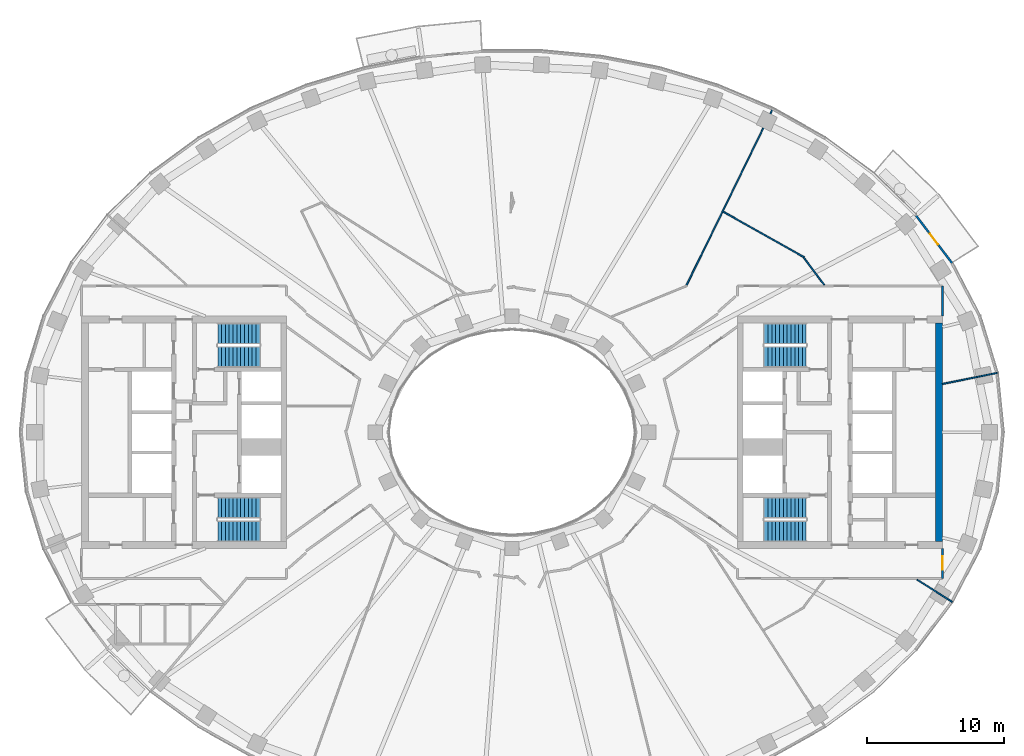
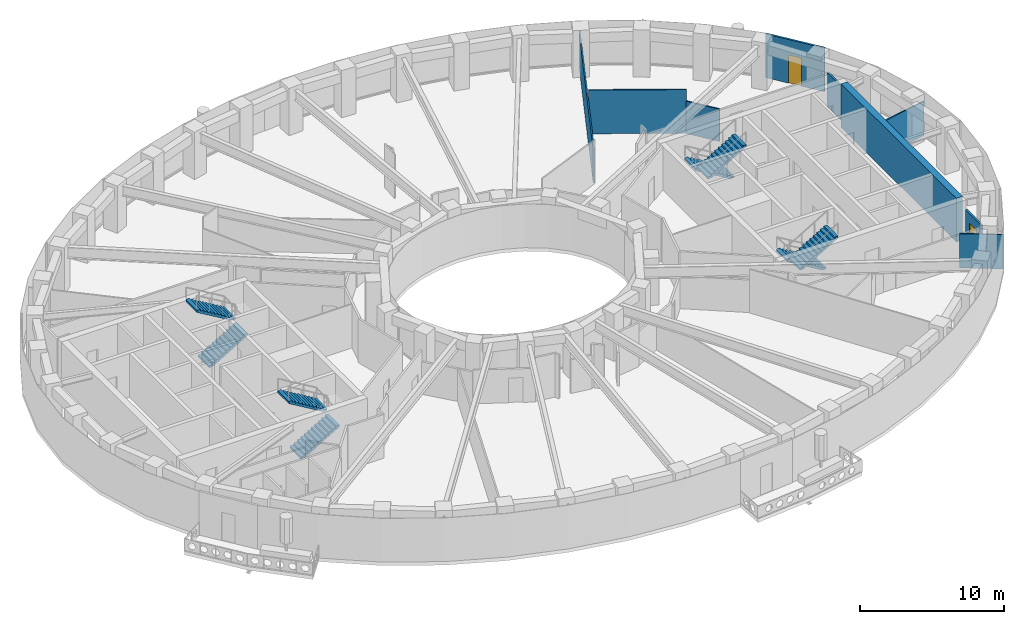
# One storey, part 7 of 16: 9 walls, 8 stair flights, 2 doors, 2 openings, 4 elements without a shape of their own.
"""IFC4 building model written with IfcOpenShell, lengths in metres."""

from ifc_helpers import new_model, si_unit, direction, frame, frame_2d, origin, place, context, subcontext, project, spatial, polyline, rectangle, outline, extrude, material, layer, layer_set, type_object, element, fill, aggregate, save


model = new_model("IFC4")

# Units and contexts
model_context = context("Model", 3, precision=1e-05, world=origin(), true_north=direction((0.0, 1.0)))
body_context = subcontext(model_context, "Body", "Model", "MODEL_VIEW")
ifc_project = project(units=[si_unit("LENGTHUNIT", "METRE"), si_unit("AREAUNIT", "SQUARE_METRE"), si_unit("VOLUMEUNIT", "CUBIC_METRE"), si_unit("PLANEANGLEUNIT", "RADIAN"), si_unit("MASSUNIT", "GRAM", prefix="KILO")], contexts=[model_context])

# Site, building, storey
site_placement = place(None, origin())
site = spatial("IfcSite", under=ifc_project, at=site_placement, CompositionType="ELEMENT")
building_placement = place(site_placement, origin())
building = spatial("IfcBuilding", under=site, at=building_placement, Name="Noorbagh Ring Tower", CompositionType="ELEMENT")
storey_placement = place(building_placement, frame((0.0, 0.0, 186.0)))
storey = spatial("IfcBuildingStorey", under=building, at=storey_placement, Name="L43", CompositionType="ELEMENT", Elevation=186.0)

# Wall
ifc_material_1 = material(Name="Concrete C60/75", Category="concrete")
ifc_layer_1 = layer(ifc_material_1, 0.5)
ifc_layer_set_1 = layer_set([ifc_layer_1], Name="Concrete C60/75")
wall_type_1 = type_object("IfcWallType", Name="CORE-WALL-500-C60-75-EI240", PredefinedType="SHEAR", material=ifc_layer_set_1)
wall_1_placement = place(storey_placement, frame((31.25, -8.0, 0.0), z_axis=(0.0, 0.0, 1.0), x_axis=(0.0, 1.0, 0.0)))
element("IfcWall", 1, at=wall_1_placement, inside=storey, type_object=wall_type_1, Name="Core wall E", PredefinedType="SHEAR", context=body_context, shape_type="SweptSolid", body=[
    extrude(rectangle(XDim=16.0, YDim=0.5, at=frame_2d((8.0, 0.0))), origin(), (0.0, 0.0, 1.0), 3.699951171875),
])

# Wall, opening, door
ifc_material_2 = material(Name="Gypsum board on steel studs", Category="steel")
ifc_layer_2 = layer(ifc_material_2, 0.14990234375)
ifc_layer_set_2 = layer_set([ifc_layer_2], Name="Gypsum board on steel studs")
wall_type_2 = type_object("IfcWallType", Name="CORRIDOR PARTITION 150 EI 30", PredefinedType="PARTITIONING", material=ifc_layer_set_2)
wall_2_placement = place(storey_placement, frame((31.5, -10.699951171875, 0.0), z_axis=(0.0, 0.0, 1.0), x_axis=(0.0, 1.0, 0.0)))
wall_2 = element("IfcWall", 2, at=wall_2_placement, inside=storey, type_object=wall_type_2, Name="L43/wall/P75", PredefinedType="PARTITIONING", context=body_context, shape_type="SweptSolid", body=[
    extrude(rectangle(XDim=2.199951171875, YDim=0.14990234375, at=frame_2d((1.10009765625, 0.0))), origin(), (0.0, 0.0, 1.0), 2.89990234375),
])
opening_1_placement = place(wall_2_placement, frame((0.64990234375, 0.0, 0.0)))
opening_1 = element("IfcOpeningElement", 3, at=opening_1_placement, cuts=wall_2, Name="Opening D1", PredefinedType="OPENING", context=body_context, shape_type="SweptSolid", body=[
    extrude(rectangle(XDim=1.0, YDim=2.10009765625, at=frame_2d((0.5, 1.050048828125))), frame((0.0, 0.0849609375, 0.0), z_axis=(0.0, -1.0, 0.0), x_axis=(1.0, 0.0, 0.0)), (0.0, 0.0, 1.0), 0.169921875),
])
ifc_material_3 = material(Name="Timber, painted", Category="wood")
door_type_1 = type_object("IfcDoorType", Name="DOOR 1000 X 2100 FD30", OperationType="SINGLE_SWING_LEFT", PredefinedType="DOOR", material=ifc_material_3)
door_1_placement = place(opening_1_placement, origin())
door_1 = element("IfcDoor", 4, at=door_1_placement, inside=storey, type_object=door_type_1, Name="L43-D16", OperationType="SINGLE_SWING_RIGHT", OverallHeight=2.10009765625, OverallWidth=1.0, PredefinedType="DOOR", context=body_context, shape_type="SweptSolid", body=[
    extrude(rectangle(XDim=1.0, YDim=2.10009765625, at=frame_2d((0.5, 1.050048828125))), frame((0.0, 0.02490234375, 0.0), z_axis=(0.0, -1.0, 0.0), x_axis=(1.0, 0.0, 0.0)), (0.0, 0.0, 1.0), 0.050048828125),
])
fill(opening_1, door_1)

# Wall
wall_3_placement = place(storey_placement, frame((31.5, 8.5, 0.0), z_axis=(0.0, 0.0, 1.0), x_axis=(0.0, 1.0, 0.0)))
element("IfcWall", 5, at=wall_3_placement, inside=storey, type_object=wall_type_2, Name="L43/wall/P77", PredefinedType="PARTITIONING", context=body_context, shape_type="SweptSolid", body=[
    extrude(rectangle(XDim=2.199951171875, YDim=0.14990234375, at=frame_2d((1.10009765625, 0.0))), origin(), (0.0, 0.0, 1.0), 2.89990234375),
])

# Wall, opening, door
ifc_material_4 = material(Name="Insulated aluminium clad panel", Category="aluminium")
ifc_layer_3 = layer(ifc_material_4, 0.14990234375)
ifc_layer_set_3 = layer_set([ifc_layer_3], Name="Insulated aluminium clad panel")
wall_type_3 = type_object("IfcWallType", Name="ENV-WALL-DOOR", PredefinedType="STANDARD", material=ifc_layer_set_3)
wall_4_placement = place(storey_placement, frame((32.20751953125, 12.37353515625, 0.0), z_axis=(0.0, 0.0, 1.0), x_axis=(-0.604045763106, 0.796949632081, 0.0)))
wall_4 = element("IfcWall", 6, at=wall_4_placement, inside=storey, type_object=wall_type_3, Name="Balcony door wall chord 04", PredefinedType="STANDARD", context=body_context, shape_type="SweptSolid", body=[
    extrude(rectangle(XDim=4.42333984375, YDim=0.14990234375, at=frame_2d((2.211669921875, 0.0))), origin(), (0.0, 0.0, 1.0), 3.699951171875),
])
opening_2_placement = place(wall_4_placement, frame((1.711669921875, 0.0, 0.0)))
opening_2 = element("IfcOpeningElement", 7, at=opening_2_placement, cuts=wall_4, Name="Opening D-BL", PredefinedType="OPENING", context=body_context, shape_type="SweptSolid", body=[
    extrude(rectangle(XDim=1.0, YDim=2.39990234375, at=frame_2d((0.5, 1.199951171875))), frame((0.0, 0.0849609375, 0.0), z_axis=(0.0, -1.0, 0.0), x_axis=(1.0, 0.0, 0.0)), (0.0, 0.0, 1.0), 0.169921875),
])
ifc_material_5 = material(Name="Aluminium and glass", Category="aluminium")
door_type_2 = type_object("IfcDoorType", Name="ENV-DOOR-BALCONY", OperationType="SINGLE_SWING_LEFT", PredefinedType="DOOR", material=ifc_material_5)
door_2_placement = place(opening_2_placement, origin())
door_2 = element("IfcDoor", 8, at=door_2_placement, inside=storey, type_object=door_type_2, Name="Balcony door chord 04", OperationType="SINGLE_SWING_RIGHT", OverallHeight=2.39990234375, OverallWidth=1.0, PredefinedType="DOOR", context=body_context, shape_type="SweptSolid", body=[
    extrude(rectangle(XDim=1.0, YDim=2.39990234375, at=frame_2d((0.5, 1.199951171875))), frame((0.0, 0.02490234375, 0.0), z_axis=(0.0, -1.0, 0.0), x_axis=(1.0, 0.0, 0.0)), (0.0, 0.0, 1.0), 0.050048828125),
])
fill(opening_2, door_2)

# Walls
ifc_material_6 = material(Name="Gypsum board on steel studs", Category="steel")
ifc_layer_4 = layer(ifc_material_6, 0.10009765625)
ifc_layer_set_4 = layer_set([ifc_layer_4], Name="Gypsum board on steel studs")
wall_type_4 = type_object("IfcWallType", Name="PARTITION 100 GYPSUM", PredefinedType="PARTITIONING", material=ifc_layer_set_4)
wall_5_placement = place(storey_placement, frame((12.76904296875, 10.764892578125, 0.0), z_axis=(0.0, 0.0, 1.0), x_axis=(0.439230835686, 0.898374238824, 0.0)))
element("IfcWall", 9, at=wall_5_placement, inside=storey, type_object=wall_type_4, Name="L43/wall/P64", PredefinedType="PARTITIONING", context=body_context, shape_type="SweptSolid", body=[
    extrude(rectangle(XDim=14.3818359375, YDim=0.10009765625, at=frame_2d((7.19091796875, 0.0))), origin(), (0.0, 0.0, 1.0), 2.89990234375),
])
wall_6_placement = place(storey_placement, frame((15.4560546875, 16.14501953125, 0.0), z_axis=(0.0, 0.0, 1.0), x_axis=(0.871239204441, -0.490858685006, 0.0)))
element("IfcWall", 10, at=wall_6_placement, inside=storey, type_object=wall_type_4, Name="L43/wall/P66", PredefinedType="PARTITIONING", context=body_context, shape_type="SweptSolid", body=[
    extrude(rectangle(XDim=6.80859375, YDim=0.10009765625, at=frame_2d((3.404296875, 0.0))), origin(), (0.0, 0.0, 1.0), 3.699951171875),
])
wall_7_placement = place(storey_placement, frame((21.35498046875, 12.764892578125, 0.0), z_axis=(0.0, 0.0, 1.0), x_axis=(0.603287715996, -0.797523624558, 0.0)))
element("IfcWall", 11, at=wall_7_placement, inside=storey, type_object=wall_type_4, Name="L43/wall/P73", PredefinedType="PARTITIONING", context=body_context, shape_type="SweptSolid", body=[
    extrude(rectangle(XDim=2.4912109375, YDim=0.10009765625, at=frame_2d((1.24560546875, 0.0))), origin(), (0.0, 0.0, 1.0), 2.75),
])
wall_8_placement = place(storey_placement, frame((29.636962890625, -10.777099609375, 0.0), z_axis=(0.0, 0.0, 1.0), x_axis=(0.844810627195, -0.535065420467, 0.0)))
element("IfcWall", 12, at=wall_8_placement, inside=storey, type_object=wall_type_4, Name="L43/wall/P74", PredefinedType="PARTITIONING", context=body_context, shape_type="SweptSolid", body=[
    extrude(rectangle(XDim=3.0478515625, YDim=0.10009765625, at=frame_2d((1.52392578125, 0.0))), origin(), (0.0, 0.0, 1.0), 2.89990234375),
])
wall_9_placement = place(storey_placement, frame((31.5, 3.5419921875, 0.0), z_axis=(0.0, 0.0, 1.0), x_axis=(0.980357474535, 0.197228857227, 0.0)))
element("IfcWall", 13, at=wall_9_placement, inside=storey, type_object=wall_type_4, Name="L43/wall/P76", PredefinedType="PARTITIONING", context=body_context, shape_type="SweptSolid", body=[
    extrude(rectangle(XDim=4.09228515625, YDim=0.10009765625, at=frame_2d((2.046142578125, 0.0))), origin(), (0.0, 0.0, 1.0), 2.89990234375),
])

# Stair, stair flights
ifc_material_7 = material(Name="Concrete C40/50", Category="concrete")
stair_type = type_object("IfcStairType", Name="CORE-STAIR", PredefinedType="HALF_TURN_STAIR", material=ifc_material_7)
stair_1_placement = place(storey_placement, origin())
stair_1 = element("IfcStair", 14, at=stair_1_placement, inside=storey, type_object=stair_type, Name="L43 Exit stair ST1", PredefinedType="HALF_TURN_STAIR")
ifc_material_8 = material(Name="Concrete C40/50", Category="concrete")
stair_flight_type = type_object("IfcStairFlightType", Name="CORE-STAIR-FLIGHT", PredefinedType="STRAIGHT", material=ifc_material_8)
stair_flight_1_placement = place(storey_placement, frame((-21.530029296875, 5.52490234375, 0.0), z_axis=(0.0, 0.0, 1.0), x_axis=(1.0, 0.0, 0.0)))
stair_flight_1 = element("IfcStairFlight", 15, at=stair_flight_1_placement, type_object=stair_flight_type, Name="ST1 flight 1", NumberOfRisers=12, NumberOfTreads=11, PredefinedType="STRAIGHT", RiserHeight=0.166666667, TreadLength=0.28, context=body_context, shape_type="SweptSolid", body=[
    extrude(outline(polyline([(0.0, 0.0), (0.0, 0.166748046875), (0.280029296875, 0.166748046875), (0.280029296875, 0.333251953125), (0.56005859375, 0.333251953125), (0.56005859375, 0.5), (0.840087890625, 0.5), (0.840087890625, 0.666748046875), (1.1201171875, 0.666748046875), (1.1201171875, 0.833251953125), (1.39990234375, 0.833251953125), (1.39990234375, 1.0), (1.679931640625, 1.0), (1.679931640625, 1.166748046875), (1.9599609375, 1.166748046875), (1.9599609375, 1.333251953125), (2.239990234375, 1.333251953125), (2.239990234375, 1.5), (2.52001953125, 1.5), (2.52001953125, 1.666748046875), (2.800048828125, 1.666748046875), (2.800048828125, 1.833251953125), (3.080078125, 1.833251953125), (3.080078125, 2.0), (3.080078125, 1.658935546875), (0.29296875, 0.0), (0.0, 0.0)])), frame((0.0, 0.77490234375, 0.0), z_axis=(0.0, -1.0, 0.0), x_axis=(1.0, 0.0, 0.0)), (0.0, 0.0, 1.0), 1.550048828125),
])
stair_flight_2_placement = place(storey_placement, frame((-18.449951171875, 7.22509765625, 2.0), z_axis=(0.0, 0.0, 1.0), x_axis=(-1.0, 0.0, 0.0)))
stair_flight_2 = element("IfcStairFlight", 16, at=stair_flight_2_placement, type_object=stair_flight_type, Name="ST1 flight 2", NumberOfRisers=12, NumberOfTreads=11, PredefinedType="STRAIGHT", RiserHeight=0.166666667, TreadLength=0.28, context=body_context, shape_type="SweptSolid", body=[
    extrude(outline(polyline([(0.0, 0.0), (0.0, 0.166748046875), (0.280029296875, 0.166748046875), (0.280029296875, 0.333251953125), (0.56005859375, 0.333251953125), (0.56005859375, 0.5), (0.840087890625, 0.5), (0.840087890625, 0.666748046875), (1.1201171875, 0.666748046875), (1.1201171875, 0.833251953125), (1.39990234375, 0.833251953125), (1.39990234375, 1.0), (1.679931640625, 1.0), (1.679931640625, 1.166748046875), (1.9599609375, 1.166748046875), (1.9599609375, 1.333251953125), (2.239990234375, 1.333251953125), (2.239990234375, 1.5), (2.52001953125, 1.5), (2.52001953125, 1.666748046875), (2.800048828125, 1.666748046875), (2.800048828125, 1.833251953125), (3.080078125, 1.833251953125), (3.080078125, 2.0), (3.080078125, 1.658935546875), (0.29296875, 0.0), (0.0, 0.0)])), frame((0.0, 0.77490234375, 0.0), z_axis=(0.0, -1.0, 0.0), x_axis=(1.0, 0.0, 0.0)), (0.0, 0.0, 1.0), 1.550048828125),
])
aggregate(stair_1, [stair_flight_1, stair_flight_2])

stair_2_placement = place(storey_placement, origin())
stair_2 = element("IfcStair", 17, at=stair_2_placement, inside=storey, type_object=stair_type, Name="L43 Exit stair ST2", PredefinedType="HALF_TURN_STAIR")
stair_flight_3_placement = place(storey_placement, frame((-21.530029296875, -7.22509765625, 0.0), z_axis=(0.0, 0.0, 1.0), x_axis=(1.0, 0.0, 0.0)))
stair_flight_3 = element("IfcStairFlight", 18, at=stair_flight_3_placement, type_object=stair_flight_type, Name="ST2 flight 1", NumberOfRisers=12, NumberOfTreads=11, PredefinedType="STRAIGHT", RiserHeight=0.166666667, TreadLength=0.28, context=body_context, shape_type="SweptSolid", body=[
    extrude(outline(polyline([(0.0, 0.0), (0.0, 0.166748046875), (0.280029296875, 0.166748046875), (0.280029296875, 0.333251953125), (0.56005859375, 0.333251953125), (0.56005859375, 0.5), (0.840087890625, 0.5), (0.840087890625, 0.666748046875), (1.1201171875, 0.666748046875), (1.1201171875, 0.833251953125), (1.39990234375, 0.833251953125), (1.39990234375, 1.0), (1.679931640625, 1.0), (1.679931640625, 1.166748046875), (1.9599609375, 1.166748046875), (1.9599609375, 1.333251953125), (2.239990234375, 1.333251953125), (2.239990234375, 1.5), (2.52001953125, 1.5), (2.52001953125, 1.666748046875), (2.800048828125, 1.666748046875), (2.800048828125, 1.833251953125), (3.080078125, 1.833251953125), (3.080078125, 2.0), (3.080078125, 1.658935546875), (0.29296875, 0.0), (0.0, 0.0)])), frame((0.0, 0.77490234375, 0.0), z_axis=(0.0, -1.0, 0.0), x_axis=(1.0, 0.0, 0.0)), (0.0, 0.0, 1.0), 1.550048828125),
])
stair_flight_4_placement = place(storey_placement, frame((-18.449951171875, -5.52490234375, 2.0), z_axis=(0.0, 0.0, 1.0), x_axis=(-1.0, 0.0, 0.0)))
stair_flight_4 = element("IfcStairFlight", 19, at=stair_flight_4_placement, type_object=stair_flight_type, Name="ST2 flight 2", NumberOfRisers=12, NumberOfTreads=11, PredefinedType="STRAIGHT", RiserHeight=0.166666667, TreadLength=0.28, context=body_context, shape_type="SweptSolid", body=[
    extrude(outline(polyline([(0.0, 0.0), (0.0, 0.166748046875), (0.280029296875, 0.166748046875), (0.280029296875, 0.333251953125), (0.56005859375, 0.333251953125), (0.56005859375, 0.5), (0.840087890625, 0.5), (0.840087890625, 0.666748046875), (1.1201171875, 0.666748046875), (1.1201171875, 0.833251953125), (1.39990234375, 0.833251953125), (1.39990234375, 1.0), (1.679931640625, 1.0), (1.679931640625, 1.166748046875), (1.9599609375, 1.166748046875), (1.9599609375, 1.333251953125), (2.239990234375, 1.333251953125), (2.239990234375, 1.5), (2.52001953125, 1.5), (2.52001953125, 1.666748046875), (2.800048828125, 1.666748046875), (2.800048828125, 1.833251953125), (3.080078125, 1.833251953125), (3.080078125, 2.0), (3.080078125, 1.658935546875), (0.29296875, 0.0), (0.0, 0.0)])), frame((0.0, 0.77490234375, 0.0), z_axis=(0.0, -1.0, 0.0), x_axis=(1.0, 0.0, 0.0)), (0.0, 0.0, 1.0), 1.550048828125),
])
aggregate(stair_2, [stair_flight_3, stair_flight_4])

stair_3_placement = place(storey_placement, origin())
stair_3 = element("IfcStair", 20, at=stair_3_placement, inside=storey, type_object=stair_type, Name="L43 Exit stair ST3", PredefinedType="HALF_TURN_STAIR")
stair_flight_5_placement = place(storey_placement, frame((21.530029296875, 7.22509765625, 0.0), z_axis=(0.0, 0.0, 1.0), x_axis=(-1.0, 0.0, 0.0)))
stair_flight_5 = element("IfcStairFlight", 21, at=stair_flight_5_placement, type_object=stair_flight_type, Name="ST3 flight 1", NumberOfRisers=12, NumberOfTreads=11, PredefinedType="STRAIGHT", RiserHeight=0.166666667, TreadLength=0.28, context=body_context, shape_type="SweptSolid", body=[
    extrude(outline(polyline([(0.0, 0.0), (0.0, 0.166748046875), (0.280029296875, 0.166748046875), (0.280029296875, 0.333251953125), (0.56005859375, 0.333251953125), (0.56005859375, 0.5), (0.840087890625, 0.5), (0.840087890625, 0.666748046875), (1.1201171875, 0.666748046875), (1.1201171875, 0.833251953125), (1.39990234375, 0.833251953125), (1.39990234375, 1.0), (1.679931640625, 1.0), (1.679931640625, 1.166748046875), (1.9599609375, 1.166748046875), (1.9599609375, 1.333251953125), (2.239990234375, 1.333251953125), (2.239990234375, 1.5), (2.52001953125, 1.5), (2.52001953125, 1.666748046875), (2.800048828125, 1.666748046875), (2.800048828125, 1.833251953125), (3.080078125, 1.833251953125), (3.080078125, 2.0), (3.080078125, 1.658935546875), (0.29296875, 0.0), (0.0, 0.0)])), frame((0.0, 0.77490234375, 0.0), z_axis=(0.0, -1.0, 0.0), x_axis=(1.0, 0.0, 0.0)), (0.0, 0.0, 1.0), 1.550048828125),
])
stair_flight_6_placement = place(storey_placement, frame((18.449951171875, 5.52490234375, 2.0), z_axis=(0.0, 0.0, 1.0), x_axis=(1.0, 0.0, 0.0)))
stair_flight_6 = element("IfcStairFlight", 22, at=stair_flight_6_placement, type_object=stair_flight_type, Name="ST3 flight 2", NumberOfRisers=12, NumberOfTreads=11, PredefinedType="STRAIGHT", RiserHeight=0.166666667, TreadLength=0.28, context=body_context, shape_type="SweptSolid", body=[
    extrude(outline(polyline([(0.0, 0.0), (0.0, 0.166748046875), (0.280029296875, 0.166748046875), (0.280029296875, 0.333251953125), (0.56005859375, 0.333251953125), (0.56005859375, 0.5), (0.840087890625, 0.5), (0.840087890625, 0.666748046875), (1.1201171875, 0.666748046875), (1.1201171875, 0.833251953125), (1.39990234375, 0.833251953125), (1.39990234375, 1.0), (1.679931640625, 1.0), (1.679931640625, 1.166748046875), (1.9599609375, 1.166748046875), (1.9599609375, 1.333251953125), (2.239990234375, 1.333251953125), (2.239990234375, 1.5), (2.52001953125, 1.5), (2.52001953125, 1.666748046875), (2.800048828125, 1.666748046875), (2.800048828125, 1.833251953125), (3.080078125, 1.833251953125), (3.080078125, 2.0), (3.080078125, 1.658935546875), (0.29296875, 0.0), (0.0, 0.0)])), frame((0.0, 0.77490234375, 0.0), z_axis=(0.0, -1.0, 0.0), x_axis=(1.0, 0.0, 0.0)), (0.0, 0.0, 1.0), 1.550048828125),
])
aggregate(stair_3, [stair_flight_5, stair_flight_6])

stair_4_placement = place(storey_placement, origin())
stair_4 = element("IfcStair", 23, at=stair_4_placement, inside=storey, type_object=stair_type, Name="L43 Exit stair ST4", PredefinedType="HALF_TURN_STAIR")
stair_flight_7_placement = place(storey_placement, frame((21.530029296875, -5.52490234375, 0.0), z_axis=(0.0, 0.0, 1.0), x_axis=(-1.0, 0.0, 0.0)))
stair_flight_7 = element("IfcStairFlight", 24, at=stair_flight_7_placement, type_object=stair_flight_type, Name="ST4 flight 1", NumberOfRisers=12, NumberOfTreads=11, PredefinedType="STRAIGHT", RiserHeight=0.166666667, TreadLength=0.28, context=body_context, shape_type="SweptSolid", body=[
    extrude(outline(polyline([(0.0, 0.0), (0.0, 0.166748046875), (0.280029296875, 0.166748046875), (0.280029296875, 0.333251953125), (0.56005859375, 0.333251953125), (0.56005859375, 0.5), (0.840087890625, 0.5), (0.840087890625, 0.666748046875), (1.1201171875, 0.666748046875), (1.1201171875, 0.833251953125), (1.39990234375, 0.833251953125), (1.39990234375, 1.0), (1.679931640625, 1.0), (1.679931640625, 1.166748046875), (1.9599609375, 1.166748046875), (1.9599609375, 1.333251953125), (2.239990234375, 1.333251953125), (2.239990234375, 1.5), (2.52001953125, 1.5), (2.52001953125, 1.666748046875), (2.800048828125, 1.666748046875), (2.800048828125, 1.833251953125), (3.080078125, 1.833251953125), (3.080078125, 2.0), (3.080078125, 1.658935546875), (0.29296875, 0.0), (0.0, 0.0)])), frame((0.0, 0.77490234375, 0.0), z_axis=(0.0, -1.0, 0.0), x_axis=(1.0, 0.0, 0.0)), (0.0, 0.0, 1.0), 1.550048828125),
])
stair_flight_8_placement = place(storey_placement, frame((18.449951171875, -7.22509765625, 2.0), z_axis=(0.0, 0.0, 1.0), x_axis=(1.0, 0.0, 0.0)))
stair_flight_8 = element("IfcStairFlight", 25, at=stair_flight_8_placement, type_object=stair_flight_type, Name="ST4 flight 2", NumberOfRisers=12, NumberOfTreads=11, PredefinedType="STRAIGHT", RiserHeight=0.166666667, TreadLength=0.28, context=body_context, shape_type="SweptSolid", body=[
    extrude(outline(polyline([(0.0, 0.0), (0.0, 0.166748046875), (0.280029296875, 0.166748046875), (0.280029296875, 0.333251953125), (0.56005859375, 0.333251953125), (0.56005859375, 0.5), (0.840087890625, 0.5), (0.840087890625, 0.666748046875), (1.1201171875, 0.666748046875), (1.1201171875, 0.833251953125), (1.39990234375, 0.833251953125), (1.39990234375, 1.0), (1.679931640625, 1.0), (1.679931640625, 1.166748046875), (1.9599609375, 1.166748046875), (1.9599609375, 1.333251953125), (2.239990234375, 1.333251953125), (2.239990234375, 1.5), (2.52001953125, 1.5), (2.52001953125, 1.666748046875), (2.800048828125, 1.666748046875), (2.800048828125, 1.833251953125), (3.080078125, 1.833251953125), (3.080078125, 2.0), (3.080078125, 1.658935546875), (0.29296875, 0.0), (0.0, 0.0)])), frame((0.0, 0.77490234375, 0.0), z_axis=(0.0, -1.0, 0.0), x_axis=(1.0, 0.0, 0.0)), (0.0, 0.0, 1.0), 1.550048828125),
])
aggregate(stair_4, [stair_flight_7, stair_flight_8])

save(model, "model.ifc")
